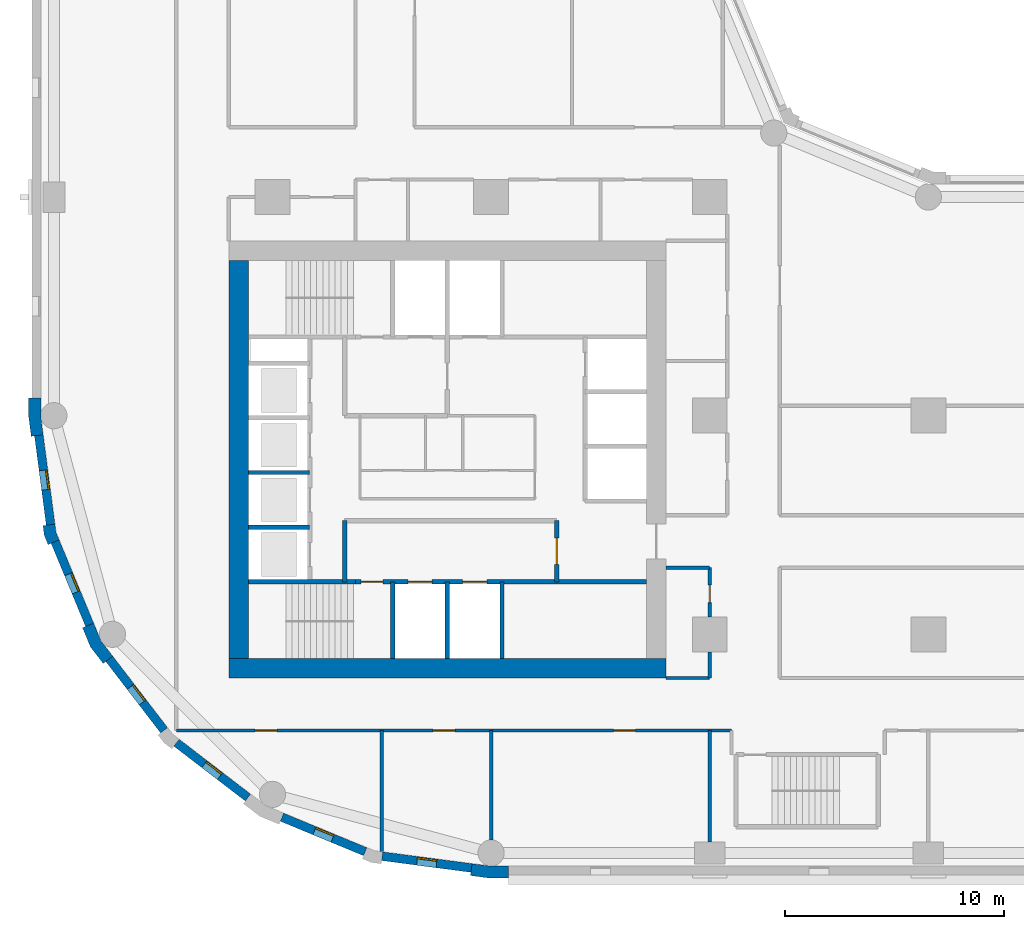
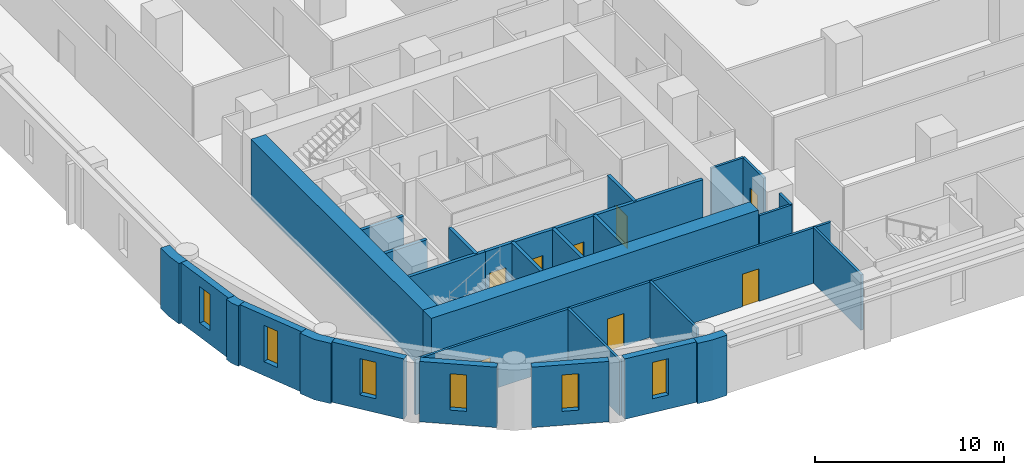
# One storey, part 2 of 10: 29 walls, 8 doors, 6 windows, 14 openings.
"""IFC4 building model written with IfcOpenShell, lengths in metres."""

from ifc_helpers import new_model, si_unit, direction, frame, frame_2d, origin, place, context, subcontext, project, spatial, polyline, rectangle, outline, extrude, material, layer, layer_set, type_object, element, fill, save


model = new_model("IFC4")

# Units and contexts
model_context = context("Model", 3, precision=1e-05, world=origin(), true_north=direction((0.0, 1.0)))
body_context = subcontext(model_context, "Body", "Model", "MODEL_VIEW")
ifc_project = project(units=[si_unit("LENGTHUNIT", "METRE"), si_unit("AREAUNIT", "SQUARE_METRE"), si_unit("VOLUMEUNIT", "CUBIC_METRE"), si_unit("PLANEANGLEUNIT", "RADIAN"), si_unit("MASSUNIT", "GRAM", prefix="KILO")], contexts=[model_context])

# Site, building, storey
site_placement = place(None, origin())
site = spatial("IfcSite", under=ifc_project, at=site_placement, CompositionType="ELEMENT")
building_placement = place(site_placement, origin())
building = spatial("IfcBuilding", under=site, at=building_placement, Name="Qaws Garden Tower", CompositionType="ELEMENT")
storey_placement = place(building_placement, frame((0.0, 0.0, 105.60009765625)))
storey = spatial("IfcBuildingStorey", under=building, at=storey_placement, Name="L26", CompositionType="ELEMENT", Elevation=105.60009765625)

# Wall, opening, window
ifc_material_1 = material(Name="Clay facing brick masonry", Category="masonry")
ifc_layer_1 = layer(ifc_material_1, 0.39990234375)
ifc_layer_set_1 = layer_set([ifc_layer_1], Name="Clay facing brick masonry")
wall_type_1 = type_object("IfcWallType", Name="Brick infill wall 400", PredefinedType="SOLIDWALL", material=ifc_layer_set_1)
wall_1_placement = place(storey_placement, frame((-0.688720703125, 19.102294921875, 0.0), z_axis=(0.0, 0.0, 1.0), x_axis=(0.130514280502, -0.991446429508, 0.0)))
wall_1 = element("IfcWall", 1, at=wall_1_placement, inside=storey, type_object=wall_type_1, Name="E-L26-infill-27", PredefinedType="SOLIDWALL", context=body_context, shape_type="SweptSolid", body=[
    extrude(rectangle(XDim=4.120849609375, YDim=0.39990234375, at=frame_2d((2.060546875, 0.0))), origin(), (0.0, 0.0, 1.0), 3.89990234375),
])
opening_1_placement = place(wall_1_placement, frame((1.610595703125, 0.0, 0.89990234375)))
opening_1 = element("IfcOpeningElement", 2, at=opening_1_placement, cuts=wall_1, Name="Opening W09", PredefinedType="OPENING", context=body_context, shape_type="SweptSolid", body=[
    extrude(rectangle(XDim=0.89990234375, YDim=2.35009765625, at=frame_2d((0.449951171875, 1.175048828125))), frame((0.0, 0.2099609375, 0.0), z_axis=(0.0, -1.0, 0.0), x_axis=(1.0, 0.0, 0.0)), (0.0, 0.0, 1.0), 0.419921875),
])
ifc_material_2 = material(Name="Aluminium framed window, clear glazing", Category="aluminium")
window_type = type_object("IfcWindowType", Name="Slit window 900 x 2350", PartitioningType="SINGLE_PANEL", PredefinedType="WINDOW", material=ifc_material_2)
window_1_placement = place(opening_1_placement, origin())
window_1 = element("IfcWindow", 3, at=window_1_placement, inside=storey, type_object=window_type, Name="E-L26-window-27-0", OverallHeight=2.35009765625, OverallWidth=0.89990234375, PartitioningType="SINGLE_PANEL", PredefinedType="WINDOW", context=body_context, shape_type="SweptSolid", body=[
    extrude(rectangle(XDim=0.89990234375, YDim=2.35009765625, at=frame_2d((0.449951171875, 1.175048828125))), frame((0.0, 0.159912109375, 0.0), z_axis=(0.0, -1.0, 0.0), x_axis=(1.0, 0.0, 0.0)), (0.0, 0.0, 1.0), 0.06005859375),
])
fill(opening_1, window_1)

wall_2_placement = place(storey_placement, frame((0.05712890625, 14.240234375, 0.0), z_axis=(0.0, 0.0, 1.0), x_axis=(0.382721546029, -0.923863744394, 0.0)))
wall_2 = element("IfcWall", 4, at=wall_2_placement, inside=storey, type_object=wall_type_1, Name="E-L26-infill-28", PredefinedType="SOLIDWALL", context=body_context, shape_type="SweptSolid", body=[
    extrude(rectangle(XDim=4.120849609375, YDim=0.39990234375, at=frame_2d((2.060546875, 0.0))), origin(), (0.0, 0.0, 1.0), 3.89990234375),
])
opening_2_placement = place(wall_2_placement, frame((1.610595703125, 0.0, 0.89990234375)))
opening_2 = element("IfcOpeningElement", 5, at=opening_2_placement, cuts=wall_2, Name="Opening W09", PredefinedType="OPENING", context=body_context, shape_type="SweptSolid", body=[
    extrude(rectangle(XDim=0.89990234375, YDim=2.35009765625, at=frame_2d((0.449951171875, 1.175048828125))), frame((0.0, 0.2099609375, 0.0), z_axis=(0.0, -1.0, 0.0), x_axis=(1.0, 0.0, 0.0)), (0.0, 0.0, 1.0), 0.419921875),
])
window_2_placement = place(opening_2_placement, origin())
window_2 = element("IfcWindow", 6, at=window_2_placement, inside=storey, type_object=window_type, Name="E-L26-window-28-0", OverallHeight=2.35009765625, OverallWidth=0.89990234375, PartitioningType="SINGLE_PANEL", PredefinedType="WINDOW", context=body_context, shape_type="SweptSolid", body=[
    extrude(rectangle(XDim=0.89990234375, YDim=2.35009765625, at=frame_2d((0.449951171875, 1.175048828125))), frame((0.0, 0.159912109375, 0.0), z_axis=(0.0, -1.0, 0.0), x_axis=(1.0, 0.0, 0.0)), (0.0, 0.0, 1.0), 0.06005859375),
])
fill(opening_2, window_2)

wall_3_placement = place(storey_placement, frame((2.53173828125, 8.87841796875, 0.0), z_axis=(0.0, 0.0, 1.0), x_axis=(0.608759824817, -0.793354571229, 0.0)))
wall_3 = element("IfcWall", 7, at=wall_3_placement, inside=storey, type_object=wall_type_1, Name="E-L26-infill-29", PredefinedType="SOLIDWALL", context=body_context, shape_type="SweptSolid", body=[
    extrude(rectangle(XDim=4.12109375, YDim=0.39990234375, at=frame_2d((2.060546875, 0.0))), origin(), (0.0, 0.0, 1.0), 3.89990234375),
])
opening_3_placement = place(wall_3_placement, frame((1.610595703125, 0.0, 0.89990234375)))
opening_3 = element("IfcOpeningElement", 8, at=opening_3_placement, cuts=wall_3, Name="Opening W09", PredefinedType="OPENING", context=body_context, shape_type="SweptSolid", body=[
    extrude(rectangle(XDim=0.89990234375, YDim=2.35009765625, at=frame_2d((0.449951171875, 1.175048828125))), frame((0.0, 0.2099609375, 0.0), z_axis=(0.0, -1.0, 0.0), x_axis=(1.0, 0.0, 0.0)), (0.0, 0.0, 1.0), 0.419921875),
])
window_3_placement = place(opening_3_placement, origin())
window_3 = element("IfcWindow", 9, at=window_3_placement, inside=storey, type_object=window_type, Name="E-L26-window-29-0", OverallHeight=2.35009765625, OverallWidth=0.89990234375, PartitioningType="SINGLE_PANEL", PredefinedType="WINDOW", context=body_context, shape_type="SweptSolid", body=[
    extrude(rectangle(XDim=0.89990234375, YDim=2.35009765625, at=frame_2d((0.449951171875, 1.175048828125))), frame((0.0, 0.159912109375, 0.0), z_axis=(0.0, -1.0, 0.0), x_axis=(1.0, 0.0, 0.0)), (0.0, 0.0, 1.0), 0.06005859375),
])
fill(opening_3, window_3)

wall_4_placement = place(storey_placement, frame((5.60888671875, 5.04052734375, 0.0), z_axis=(0.0, 0.0, 1.0), x_axis=(0.793354571229, -0.608759824817, 0.0)))
wall_4 = element("IfcWall", 10, at=wall_4_placement, inside=storey, type_object=wall_type_1, Name="E-L26-infill-30", PredefinedType="SOLIDWALL", context=body_context, shape_type="SweptSolid", body=[
    extrude(rectangle(XDim=4.12109375, YDim=0.39990234375, at=frame_2d((2.060546875, 0.0))), origin(), (0.0, 0.0, 1.0), 3.89990234375),
])
opening_4_placement = place(wall_4_placement, frame((1.610595703125, 0.0, 0.89990234375)))
opening_4 = element("IfcOpeningElement", 11, at=opening_4_placement, cuts=wall_4, Name="Opening W09", PredefinedType="OPENING", context=body_context, shape_type="SweptSolid", body=[
    extrude(rectangle(XDim=0.89990234375, YDim=2.35009765625, at=frame_2d((0.449951171875, 1.175048828125))), frame((0.0, 0.2099609375, 0.0), z_axis=(0.0, -1.0, 0.0), x_axis=(1.0, 0.0, 0.0)), (0.0, 0.0, 1.0), 0.419921875),
])
window_4_placement = place(opening_4_placement, origin())
window_4 = element("IfcWindow", 12, at=window_4_placement, inside=storey, type_object=window_type, Name="E-L26-window-30-0", OverallHeight=2.35009765625, OverallWidth=0.89990234375, PartitioningType="SINGLE_PANEL", PredefinedType="WINDOW", context=body_context, shape_type="SweptSolid", body=[
    extrude(rectangle(XDim=0.89990234375, YDim=2.35009765625, at=frame_2d((0.449951171875, 1.175048828125))), frame((0.0, 0.159912109375, 0.0), z_axis=(0.0, -1.0, 0.0), x_axis=(1.0, 0.0, 0.0)), (0.0, 0.0, 1.0), 0.06005859375),
])
fill(opening_4, window_4)

wall_5_placement = place(storey_placement, frame((10.43310546875, 1.63427734375, 0.0), z_axis=(0.0, 0.0, 1.0), x_axis=(0.923863744394, -0.382721546029, 0.0)))
wall_5 = element("IfcWall", 13, at=wall_5_placement, inside=storey, type_object=wall_type_1, Name="E-L26-infill-31", PredefinedType="SOLIDWALL", context=body_context, shape_type="SweptSolid", body=[
    extrude(rectangle(XDim=4.120849609375, YDim=0.39990234375, at=frame_2d((2.060546875, 0.0))), origin(), (0.0, 0.0, 1.0), 3.89990234375),
])
opening_5_placement = place(wall_5_placement, frame((1.610595703125, 0.0, 0.89990234375)))
opening_5 = element("IfcOpeningElement", 14, at=opening_5_placement, cuts=wall_5, Name="Opening W09", PredefinedType="OPENING", context=body_context, shape_type="SweptSolid", body=[
    extrude(rectangle(XDim=0.89990234375, YDim=2.35009765625, at=frame_2d((0.449951171875, 1.175048828125))), frame((0.0, 0.2099609375, 0.0), z_axis=(0.0, -1.0, 0.0), x_axis=(1.0, 0.0, 0.0)), (0.0, 0.0, 1.0), 0.419921875),
])
window_5_placement = place(opening_5_placement, origin())
window_5 = element("IfcWindow", 15, at=window_5_placement, inside=storey, type_object=window_type, Name="E-L26-window-31-0", OverallHeight=2.35009765625, OverallWidth=0.89990234375, PartitioningType="SINGLE_PANEL", PredefinedType="WINDOW", context=body_context, shape_type="SweptSolid", body=[
    extrude(rectangle(XDim=0.89990234375, YDim=2.35009765625, at=frame_2d((0.449951171875, 1.175048828125))), frame((0.0, 0.159912109375, 0.0), z_axis=(0.0, -1.0, 0.0), x_axis=(1.0, 0.0, 0.0)), (0.0, 0.0, 1.0), 0.06005859375),
])
fill(opening_5, window_5)

wall_6_placement = place(storey_placement, frame((15.0166015625, -0.15087890625, 0.0), z_axis=(0.0, 0.0, 1.0), x_axis=(0.991446429508, -0.130514280502, 0.0)))
wall_6 = element("IfcWall", 16, at=wall_6_placement, inside=storey, type_object=wall_type_1, Name="E-L26-infill-32", PredefinedType="SOLIDWALL", context=body_context, shape_type="SweptSolid", body=[
    extrude(rectangle(XDim=4.120849609375, YDim=0.39990234375, at=frame_2d((2.060546875, 0.0))), origin(), (0.0, 0.0, 1.0), 3.89990234375),
])
opening_6_placement = place(wall_6_placement, frame((1.610595703125, 0.0, 0.89990234375)))
opening_6 = element("IfcOpeningElement", 17, at=opening_6_placement, cuts=wall_6, Name="Opening W09", PredefinedType="OPENING", context=body_context, shape_type="SweptSolid", body=[
    extrude(rectangle(XDim=0.89990234375, YDim=2.35009765625, at=frame_2d((0.449951171875, 1.175048828125))), frame((0.0, 0.2099609375, 0.0), z_axis=(0.0, -1.0, 0.0), x_axis=(1.0, 0.0, 0.0)), (0.0, 0.0, 1.0), 0.419921875),
])
window_6_placement = place(opening_6_placement, origin())
window_6 = element("IfcWindow", 18, at=window_6_placement, inside=storey, type_object=window_type, Name="E-L26-window-32-0", OverallHeight=2.35009765625, OverallWidth=0.89990234375, PartitioningType="SINGLE_PANEL", PredefinedType="WINDOW", context=body_context, shape_type="SweptSolid", body=[
    extrude(rectangle(XDim=0.89990234375, YDim=2.35009765625, at=frame_2d((0.449951171875, 1.175048828125))), frame((0.0, 0.159912109375, 0.0), z_axis=(0.0, -1.0, 0.0), x_axis=(1.0, 0.0, 0.0)), (0.0, 0.0, 1.0), 0.06005859375),
])
fill(opening_6, window_6)

# Walls
ifc_material_3 = material(Name="Clay facing brick masonry", Category="masonry")
ifc_layer_2 = layer(ifc_material_3, 0.550048828125)
ifc_layer_set_2 = layer_set([ifc_layer_2], Name="Clay facing brick masonry")
wall_type_2 = type_object("IfcWallType", Name="Brick kink pier 550 x 600", PredefinedType="SOLIDWALL", material=ifc_layer_set_2)
placement = place(storey_placement, origin())
element("IfcWall", 19, at=placement, inside=storey, type_object=wall_type_2, Name="E-L26-pier-28", PredefinedType="SOLIDWALL", context=body_context, shape_type="SweptSolid", body=[
    extrude(outline(polyline([(-0.34912109375, 14.990478515625), (-0.497802734375, 14.970947265625), (-0.43896484375, 14.5234375), (-0.26611328125, 14.1064453125), (-0.127685546875, 14.163818359375), (0.241943359375, 14.31689453125), (0.096923828125, 14.6669921875), (0.04736328125, 15.042724609375), (-0.34912109375, 14.990478515625)])), origin(), (0.0, 0.0, 1.0), 3.89990234375),
])
ifc_material_4 = material(Name="Clay facing brick masonry", Category="masonry")
ifc_layer_3 = layer(ifc_material_4, 0.550048828125)
ifc_layer_set_3 = layer_set([ifc_layer_3], Name="Clay facing brick masonry")
wall_type_3 = type_object("IfcWallType", Name="Brick pier 550 x 1600", PredefinedType="SOLIDWALL", material=ifc_layer_set_3)
element("IfcWall", 20, at=placement, inside=storey, type_object=wall_type_3, Name="E-L26-pier-00", PredefinedType="SOLIDWALL", context=body_context, shape_type="SweptSolid", body=[
    extrude(outline(polyline([(19.076416015625, -0.886962890625), (19.056640625, -1.03564453125), (19.924560546875, -1.14990234375), (20.800048828125, -1.14990234375), (20.800048828125, -1.0), (20.800048828125, -0.60009765625), (19.960693359375, -0.60009765625), (19.12841796875, -0.490478515625), (19.076416015625, -0.886962890625)])), origin(), (0.0, 0.0, 1.0), 3.89990234375),
])
element("IfcWall", 21, at=placement, inside=storey, type_object=wall_type_3, Name="E-L26-pier-27", PredefinedType="SOLIDWALL", context=body_context, shape_type="SweptSolid", body=[
    extrude(outline(polyline([(-1.0, 20.800048828125), (-1.14990234375, 20.800048828125), (-1.14990234375, 19.924560546875), (-1.03564453125, 19.056640625), (-0.886962890625, 19.076416015625), (-0.490478515625, 19.12841796875), (-0.60009765625, 19.960693359375), (-0.60009765625, 20.800048828125), (-1.0, 20.800048828125)])), origin(), (0.0, 0.0, 1.0), 3.89990234375),
])
element("IfcWall", 22, at=placement, inside=storey, type_object=wall_type_3, Name="E-L26-pier-29", PredefinedType="SOLIDWALL", context=body_context, shape_type="SweptSolid", body=[
    extrude(outline(polyline([(1.449462890625, 10.3564453125), (1.310791015625, 10.299072265625), (1.675048828125, 9.419921875), (2.254150390625, 8.665283203125), (2.373046875, 8.756591796875), (2.6904296875, 9.0), (2.1552734375, 9.697509765625), (1.819091796875, 10.509521484375), (1.449462890625, 10.3564453125)])), origin(), (0.0, 0.0, 1.0), 3.89990234375),
])
ifc_material_5 = material(Name="Concrete C80", Category="concrete")
ifc_layer_4 = layer(ifc_material_5, 0.199951171875)
ifc_layer_set_4 = layer_set([ifc_layer_4], Name="Concrete C80")
wall_type_4 = type_object("IfcWallType", Name="Core shaft wall 200 C80", PredefinedType="SHEAR", material=ifc_layer_set_4)
wall_11_placement = place(storey_placement, frame((8.89990234375, 12.39990234375, 0.0), z_axis=(0.0, 0.0, 1.0), x_axis=(1.0, 0.0, 0.0)))
element("IfcWall", 23, at=wall_11_placement, inside=storey, type_object=wall_type_4, Name="Shaft wall", PredefinedType="SHEAR", context=body_context, shape_type="SweptSolid", body=[
    extrude(rectangle(XDim=4.900146484375, YDim=0.199951171875, at=frame_2d((2.4501953125, 0.0))), origin(), (0.0, 0.0, 1.0), 3.579833984375),
])

# Wall, openings, doors
wall_12_placement = place(storey_placement, frame((13.800048828125, 12.39990234375, 0.0), z_axis=(0.0, 0.0, 1.0), x_axis=(1.0, 0.0, 0.0)))
wall_12 = element("IfcWall", 24, at=wall_12_placement, inside=storey, type_object=wall_type_4, Name="Shaft wall", PredefinedType="SHEAR", context=body_context, shape_type="SweptSolid", body=[
    extrude(rectangle(XDim=13.300048828125, YDim=0.199951171875, at=frame_2d((6.64990234375, 0.0))), origin(), (0.0, 0.0, 1.0), 3.579833984375),
])
opening_7_placement = place(wall_12_placement, frame((2.39990234375, 0.0, 0.0)))
opening_7 = element("IfcOpeningElement", 25, at=opening_7_placement, cuts=wall_12, Name="Opening LD06", PredefinedType="OPENING", context=body_context, shape_type="SweptSolid", body=[
    extrude(rectangle(XDim=1.10009765625, YDim=2.10009765625, at=frame_2d((0.550048828125, 1.050048828125))), frame((0.0, 0.10986328125, 0.0), z_axis=(0.0, -1.0, 0.0), x_axis=(1.0, 0.0, 0.0)), (0.0, 0.0, 1.0), 0.219970703125),
])
opening_8_placement = place(wall_12_placement, frame((4.89990234375, 0.0, 0.0)))
opening_8 = element("IfcOpeningElement", 26, at=opening_8_placement, cuts=wall_12, Name="Opening LD07", PredefinedType="OPENING", context=body_context, shape_type="SweptSolid", body=[
    extrude(rectangle(XDim=1.10009765625, YDim=2.10009765625, at=frame_2d((0.550048828125, 1.050048828125))), frame((0.0, 0.10986328125, 0.0), z_axis=(0.0, -1.0, 0.0), x_axis=(1.0, 0.0, 0.0)), (0.0, 0.0, 1.0), 0.219970703125),
])
opening_9_placement = place(wall_12_placement, frame((0.25, 0.0, 0.0)))
opening_9 = element("IfcOpeningElement", 27, at=opening_9_placement, cuts=wall_12, Name="Opening SD10", PredefinedType="OPENING", context=body_context, shape_type="SweptSolid", body=[
    extrude(rectangle(XDim=1.0, YDim=2.10009765625, at=frame_2d((0.5, 1.050048828125))), frame((0.0, 0.10986328125, 0.0), z_axis=(0.0, -1.0, 0.0), x_axis=(1.0, 0.0, 0.0)), (0.0, 0.0, 1.0), 0.219970703125),
])
ifc_material_6 = material(Name="Steel S235", Category="steel")
door_type_1 = type_object("IfcDoorType", Name="Landing door 1100x2100", OperationType="DOUBLE_DOOR_SLIDING", PredefinedType="DOOR", material=ifc_material_6)
door_1_placement = place(opening_7_placement, origin())
door_1 = element("IfcDoor", 28, at=door_1_placement, inside=storey, type_object=door_type_1, Name="Lift FF1 landing door", OperationType="DOUBLE_DOOR_SLIDING", OverallHeight=2.10009765625, OverallWidth=1.10009765625, PredefinedType="DOOR", context=body_context, shape_type="SweptSolid", body=[
    extrude(rectangle(XDim=1.10009765625, YDim=2.10009765625, at=frame_2d((0.550048828125, 1.050048828125))), frame((0.0, 0.02490234375, 0.0), z_axis=(0.0, -1.0, 0.0), x_axis=(1.0, 0.0, 0.0)), (0.0, 0.0, 1.0), 0.050048828125),
])
fill(opening_7, door_1)
door_2_placement = place(opening_8_placement, origin())
door_2 = element("IfcDoor", 29, at=door_2_placement, inside=storey, type_object=door_type_1, Name="Lift FF2 landing door", OperationType="DOUBLE_DOOR_SLIDING", OverallHeight=2.10009765625, OverallWidth=1.10009765625, PredefinedType="DOOR", context=body_context, shape_type="SweptSolid", body=[
    extrude(rectangle(XDim=1.10009765625, YDim=2.10009765625, at=frame_2d((0.550048828125, 1.050048828125))), frame((0.0, 0.02490234375, 0.0), z_axis=(0.0, -1.0, 0.0), x_axis=(1.0, 0.0, 0.0)), (0.0, 0.0, 1.0), 0.050048828125),
])
fill(opening_8, door_2)
ifc_material_7 = material(Name="Steel S235", Category="steel")
door_type_2 = type_object("IfcDoorType", Name="Stair door 1000x2100", OperationType="SINGLE_SWING_RIGHT", PredefinedType="DOOR", material=ifc_material_7)
door_3_placement = place(opening_9_placement, frame((1.0, 0.0, 0.0), z_axis=(0.0, 0.0, 1.0), x_axis=(-1.0, 0.0, 0.0)))
door_3 = element("IfcDoor", 30, at=door_3_placement, inside=storey, type_object=door_type_2, Name="Stair 1 door", OperationType="SINGLE_SWING_LEFT", OverallHeight=2.10009765625, OverallWidth=1.0, PredefinedType="DOOR", context=body_context, shape_type="SweptSolid", body=[
    extrude(rectangle(XDim=1.0, YDim=2.10009765625, at=frame_2d((0.5, 1.050048828125))), frame((0.0, 0.02490234375, 0.0), z_axis=(0.0, -1.0, 0.0), x_axis=(1.0, 0.0, 0.0)), (0.0, 0.0, 1.0), 0.050048828125),
])
fill(opening_9, door_3)

# Walls
for number, where, z_axis, x_axis, name in (
    (31, (8.89990234375, 14.89990234375, 0.0), (0.0, 0.0, 1.0), (1.0, 0.0, 0.0), "Shaft wall"),
    (32, (8.89990234375, 17.39990234375, 0.0), (0.0, 0.0, 1.0), (1.0, 0.0, 0.0), "Shaft wall"),
    (33, (13.300048828125, 12.39990234375, 0.0), (0.0, 0.0, 1.0), (0.0, 1.0, 0.0), "Shaft wall"),
):
    element("IfcWall", number, at=place(storey_placement, frame(where, z_axis=z_axis, x_axis=x_axis)), inside=storey, type_object=wall_type_4, Name=name, PredefinedType="SHEAR", context=body_context, shape_type="SweptSolid", body=[
        extrude(rectangle(XDim=2.800048828125, YDim=0.199951171875, at=frame_2d((1.39990234375, 0.0))), origin(), (0.0, 0.0, 1.0), 3.579833984375),
    ])
for number, where, z_axis, x_axis, name in (
    (34, (15.5, 8.89990234375, 0.0), (0.0, 0.0, 1.0), (0.0, 1.0, 0.0), "Shaft wall"),
    (35, (18.0, 8.89990234375, 0.0), (0.0, 0.0, 1.0), (0.0, 1.0, 0.0), "Shaft wall"),
    (36, (20.5, 8.89990234375, 0.0), (0.0, 0.0, 1.0), (0.0, 1.0, 0.0), "Shaft wall"),
):
    element("IfcWall", number, at=place(storey_placement, frame(where, z_axis=z_axis, x_axis=x_axis)), inside=storey, type_object=wall_type_4, Name=name, PredefinedType="SHEAR", context=body_context, shape_type="SweptSolid", body=[
        extrude(rectangle(XDim=3.5, YDim=0.199951171875, at=frame_2d((1.75, 0.0))), origin(), (0.0, 0.0, 1.0), 3.579833984375),
    ])

# Wall, opening, door
wall_13_placement = place(storey_placement, frame((23.0, 12.39990234375, 0.0), z_axis=(0.0, 0.0, 1.0), x_axis=(0.0, 1.0, 0.0)))
wall_13 = element("IfcWall", 37, at=wall_13_placement, inside=storey, type_object=wall_type_4, Name="Shaft wall", PredefinedType="SHEAR", context=body_context, shape_type="SweptSolid", body=[
    extrude(rectangle(XDim=2.800048828125, YDim=0.199951171875, at=frame_2d((1.39990234375, 0.0))), origin(), (0.0, 0.0, 1.0), 3.579833984375),
])
opening_10_placement = place(wall_13_placement, frame((0.800048828125, 0.0, 0.0)))
opening_10 = element("IfcOpeningElement", 38, at=opening_10_placement, cuts=wall_13, Name="Opening FD15", PredefinedType="OPENING", context=body_context, shape_type="SweptSolid", body=[
    extrude(rectangle(XDim=1.199951171875, YDim=2.10009765625, at=frame_2d((0.60009765625, 1.050048828125))), frame((0.0, 0.10986328125, 0.0), z_axis=(0.0, -1.0, 0.0), x_axis=(1.0, 0.0, 0.0)), (0.0, 0.0, 1.0), 0.219970703125),
])
ifc_material_8 = material(Name="Steel S235", Category="steel")
door_type_3 = type_object("IfcDoorType", Name="Lobby door 1200x2100", OperationType="DOUBLE_DOOR_SINGLE_SWING", PredefinedType="DOOR", material=ifc_material_8)
door_4_placement = place(opening_10_placement, origin())
door_4 = element("IfcDoor", 39, at=door_4_placement, inside=storey, type_object=door_type_3, Name="Fire-fighting lobby door", OperationType="DOUBLE_DOOR_SINGLE_SWING", OverallHeight=2.10009765625, OverallWidth=1.199951171875, PredefinedType="DOOR", context=body_context, shape_type="SweptSolid", body=[
    extrude(rectangle(XDim=1.199951171875, YDim=2.10009765625, at=frame_2d((0.60009765625, 1.050048828125))), frame((0.0, 0.02490234375, 0.0), z_axis=(0.0, -1.0, 0.0), x_axis=(1.0, 0.0, 0.0)), (0.0, 0.0, 1.0), 0.050048828125),
])
fill(opening_10, door_4)

# Walls
ifc_material_9 = material(Name="Concrete C80", Category="concrete")
ifc_layer_5 = layer(ifc_material_9, 0.89990234375)
ifc_layer_set_5 = layer_set([ifc_layer_5], Name="Concrete C80")
wall_type_5 = type_object("IfcWallType", Name="Core wall 900 C80", PredefinedType="SHEAR", material=ifc_layer_set_5)
wall_14_placement = place(storey_placement, frame((8.0, 8.449951171875, 0.0), z_axis=(0.0, 0.0, 1.0), x_axis=(1.0, 0.0, 0.0)))
element("IfcWall", 40, at=wall_14_placement, inside=storey, type_object=wall_type_5, Name="Core wall L26 south", PredefinedType="SHEAR", context=body_context, shape_type="SweptSolid", body=[
    extrude(rectangle(XDim=20.0, YDim=0.89990234375, at=frame_2d((10.0, 0.0))), origin(), (0.0, 0.0, 1.0), 3.89990234375),
])
wall_15_placement = place(storey_placement, frame((8.449951171875, 27.10009765625, 0.0), z_axis=(0.0, 0.0, 1.0), x_axis=(0.0, -1.0, 0.0)))
element("IfcWall", 41, at=wall_15_placement, inside=storey, type_object=wall_type_5, Name="Core wall L26 west", PredefinedType="SHEAR", context=body_context, shape_type="SweptSolid", body=[
    extrude(rectangle(XDim=18.2001953125, YDim=0.89990234375, at=frame_2d((9.10009765625, 0.0))), origin(), (0.0, 0.0, 1.0), 3.89990234375),
])
ifc_material_10 = material(Name="Gypsum board partition")
ifc_layer_6 = layer(ifc_material_10, 0.14990234375)
ifc_layer_set_6 = layer_set([ifc_layer_6], Name="Gypsum board partition")
wall_type_6 = type_object("IfcWallType", Name="PARTITION 150 EI 60", PredefinedType="PARTITIONING", material=ifc_layer_set_6)
wall_16_placement = place(storey_placement, frame((15.0, 0.06298828125, 0.0), z_axis=(0.0, 0.0, 1.0), x_axis=(0.0, 1.0, 0.0)))
element("IfcWall", 42, at=wall_16_placement, inside=storey, type_object=wall_type_6, Name="O-L26-wall-011", PredefinedType="PARTITIONING", context=body_context, shape_type="SweptSolid", body=[
    extrude(rectangle(XDim=5.537109375, YDim=0.14990234375, at=frame_2d((2.7685546875, 0.0))), origin(), (0.0, 0.0, 1.0), 3.579833984375),
])
wall_17_placement = place(storey_placement, frame((20.0, 0.60009765625, 0.0), z_axis=(0.0, 0.0, 1.0), x_axis=(0.0, 1.0, 0.0)))
element("IfcWall", 43, at=wall_17_placement, inside=storey, type_object=wall_type_6, Name="O-L26-wall-015", PredefinedType="PARTITIONING", context=body_context, shape_type="SweptSolid", body=[
    extrude(rectangle(XDim=5.0, YDim=0.14990234375, at=frame_2d((2.5, 0.0))), origin(), (0.0, 0.0, 1.0), 3.579833984375),
])
wall_18_placement = place(storey_placement, frame((30.0, 0.5, 0.0), z_axis=(0.0, 0.0, 1.0), x_axis=(0.0, 1.0, 0.0)))
element("IfcWall", 44, at=wall_18_placement, inside=storey, type_object=wall_type_6, Name="O-L26-wall-019", PredefinedType="PARTITIONING", context=body_context, shape_type="SweptSolid", body=[
    extrude(rectangle(XDim=5.10009765625, YDim=0.14990234375, at=frame_2d((2.550048828125, 0.0))), origin(), (0.0, 0.0, 1.0), 3.579833984375),
])
wall_19_placement = place(storey_placement, frame((30.0, 8.0, 0.0), z_axis=(0.0, 0.0, 1.0), x_axis=(0.0, 1.0, 0.0)))
element("IfcWall", 45, at=wall_19_placement, inside=storey, type_object=wall_type_6, Name="O-L26-wall-020", PredefinedType="PARTITIONING", context=body_context, shape_type="SweptSolid", body=[
    extrude(rectangle(XDim=1.199951171875, YDim=0.14990234375, at=frame_2d((0.60009765625, 0.0))), origin(), (0.0, 0.0, 1.0), 3.579833984375),
])

# Wall, opening, door
wall_20_placement = place(storey_placement, frame((30.0, 10.800048828125, 0.0), z_axis=(0.0, 0.0, 1.0), x_axis=(0.0, 1.0, 0.0)))
wall_20 = element("IfcWall", 46, at=wall_20_placement, inside=storey, type_object=wall_type_6, Name="O-L26-wall-021", PredefinedType="PARTITIONING", context=body_context, shape_type="SweptSolid", body=[
    extrude(rectangle(XDim=2.25, YDim=0.14990234375, at=frame_2d((1.125, 0.0))), origin(), (0.0, 0.0, 1.0), 3.579833984375),
])
opening_11_placement = place(wall_20_placement, frame((0.64990234375, 0.0, 0.0)))
opening_11 = element("IfcOpeningElement", 47, at=opening_11_placement, cuts=wall_20, Name="Opening A904", PredefinedType="OPENING", context=body_context, shape_type="SweptSolid", body=[
    extrude(rectangle(XDim=0.800048828125, YDim=2.10009765625, at=frame_2d((0.39990234375, 1.050048828125))), frame((0.0, 0.0849609375, 0.0), z_axis=(0.0, -1.0, 0.0), x_axis=(1.0, 0.0, 0.0)), (0.0, 0.0, 1.0), 0.169921875),
])
ifc_material_11 = material(Name="Timber door leaf", Category="wood")
door_type_4 = type_object("IfcDoorType", Name="STORE DOOR 800 X 2100", OperationType="SINGLE_SWING_LEFT", PredefinedType="DOOR", material=ifc_material_11)
door_5_placement = place(opening_11_placement, origin())
door_5 = element("IfcDoor", 48, at=door_5_placement, inside=storey, type_object=door_type_4, Name="O-L26-door-004", OperationType="SINGLE_SWING_LEFT", OverallHeight=2.10009765625, OverallWidth=0.800048828125, PredefinedType="DOOR", context=body_context, shape_type="SweptSolid", body=[
    extrude(rectangle(XDim=0.800048828125, YDim=2.10009765625, at=frame_2d((0.39990234375, 1.050048828125))), frame((0.0, 0.02490234375, 0.0), z_axis=(0.0, -1.0, 0.0), x_axis=(1.0, 0.0, 0.0)), (0.0, 0.0, 1.0), 0.050048828125),
])
fill(opening_11, door_5)

# Wall, openings, doors
wall_21_placement = place(storey_placement, frame((5.60009765625, 5.60009765625, 0.0), z_axis=(0.0, 0.0, 1.0), x_axis=(1.0, 0.0, 0.0)))
wall_21 = element("IfcWall", 49, at=wall_21_placement, inside=storey, type_object=wall_type_6, Name="O-L26-wall-036", PredefinedType="PARTITIONING", context=body_context, shape_type="SweptSolid", body=[
    extrude(rectangle(XDim=25.39990234375, YDim=0.14990234375, at=frame_2d((12.699951171875, 0.0))), origin(), (0.0, 0.0, 1.0), 3.579833984375),
])
opening_12_placement = place(wall_21_placement, frame((3.60009765625, 0.0, 0.0)))
opening_12 = element("IfcOpeningElement", 50, at=opening_12_placement, cuts=wall_21, Name="Opening A902", PredefinedType="OPENING", context=body_context, shape_type="SweptSolid", body=[
    extrude(rectangle(XDim=1.0, YDim=2.10009765625, at=frame_2d((0.5, 1.050048828125))), frame((0.0, 0.0849609375, 0.0), z_axis=(0.0, -1.0, 0.0), x_axis=(1.0, 0.0, 0.0)), (0.0, 0.0, 1.0), 0.169921875),
])
opening_13_placement = place(wall_21_placement, frame((11.75, 0.0, 0.0)))
opening_13 = element("IfcOpeningElement", 51, at=opening_13_placement, cuts=wall_21, Name="Opening A912", PredefinedType="OPENING", context=body_context, shape_type="SweptSolid", body=[
    extrude(rectangle(XDim=1.0, YDim=2.10009765625, at=frame_2d((0.5, 1.050048828125))), frame((0.0, 0.0849609375, 0.0), z_axis=(0.0, -1.0, 0.0), x_axis=(1.0, 0.0, 0.0)), (0.0, 0.0, 1.0), 0.169921875),
])
opening_14_placement = place(wall_21_placement, frame((20.0, 0.0, 0.0)))
opening_14 = element("IfcOpeningElement", 52, at=opening_14_placement, cuts=wall_21, Name="Opening A920", PredefinedType="OPENING", context=body_context, shape_type="SweptSolid", body=[
    extrude(rectangle(XDim=1.0, YDim=2.10009765625, at=frame_2d((0.5, 1.050048828125))), frame((0.0, 0.0849609375, 0.0), z_axis=(0.0, -1.0, 0.0), x_axis=(1.0, 0.0, 0.0)), (0.0, 0.0, 1.0), 0.169921875),
])
ifc_material_12 = material(Name="Timber door leaf", Category="wood")
door_type_5 = type_object("IfcDoorType", Name="TENANCY ENTRANCE DOOR 1000 X 2100", OperationType="SINGLE_SWING_LEFT", PredefinedType="DOOR", material=ifc_material_12)
door_6_placement = place(opening_12_placement, frame((1.0, 0.0, 0.0), z_axis=(0.0, 0.0, 1.0), x_axis=(-1.0, 0.0, 0.0)))
door_6 = element("IfcDoor", 53, at=door_6_placement, inside=storey, type_object=door_type_5, Name="O-L26-door-002", OperationType="SINGLE_SWING_LEFT", OverallHeight=2.10009765625, OverallWidth=1.0, PredefinedType="DOOR", context=body_context, shape_type="SweptSolid", body=[
    extrude(rectangle(XDim=1.0, YDim=2.10009765625, at=frame_2d((0.5, 1.050048828125))), frame((0.0, 0.02490234375, 0.0), z_axis=(0.0, -1.0, 0.0), x_axis=(1.0, 0.0, 0.0)), (0.0, 0.0, 1.0), 0.050048828125),
])
fill(opening_12, door_6)
door_7_placement = place(opening_13_placement, frame((1.0, 0.0, 0.0), z_axis=(0.0, 0.0, 1.0), x_axis=(-1.0, 0.0, 0.0)))
door_7 = element("IfcDoor", 54, at=door_7_placement, inside=storey, type_object=door_type_5, Name="O-L26-door-012", OperationType="SINGLE_SWING_LEFT", OverallHeight=2.10009765625, OverallWidth=1.0, PredefinedType="DOOR", context=body_context, shape_type="SweptSolid", body=[
    extrude(rectangle(XDim=1.0, YDim=2.10009765625, at=frame_2d((0.5, 1.050048828125))), frame((0.0, 0.02490234375, 0.0), z_axis=(0.0, -1.0, 0.0), x_axis=(1.0, 0.0, 0.0)), (0.0, 0.0, 1.0), 0.050048828125),
])
fill(opening_13, door_7)
door_8_placement = place(opening_14_placement, frame((1.0, 0.0, 0.0), z_axis=(0.0, 0.0, 1.0), x_axis=(-1.0, 0.0, 0.0)))
door_8 = element("IfcDoor", 55, at=door_8_placement, inside=storey, type_object=door_type_5, Name="O-L26-door-020", OperationType="SINGLE_SWING_LEFT", OverallHeight=2.10009765625, OverallWidth=1.0, PredefinedType="DOOR", context=body_context, shape_type="SweptSolid", body=[
    extrude(rectangle(XDim=1.0, YDim=2.10009765625, at=frame_2d((0.5, 1.050048828125))), frame((0.0, 0.02490234375, 0.0), z_axis=(0.0, -1.0, 0.0), x_axis=(1.0, 0.0, 0.0)), (0.0, 0.0, 1.0), 0.050048828125),
])
fill(opening_14, door_8)

# Walls
for number, where, z_axis, x_axis, name in (
    (56, (28.0, 8.0, 0.0), (0.0, 0.0, 1.0), (1.0, 0.0, 0.0), "O-L26-wall-038"),
    (57, (28.0, 13.050048828125, 0.0), (0.0, 0.0, 1.0), (1.0, 0.0, 0.0), "O-L26-wall-040"),
):
    element("IfcWall", number, at=place(storey_placement, frame(where, z_axis=z_axis, x_axis=x_axis)), inside=storey, type_object=wall_type_6, Name=name, PredefinedType="PARTITIONING", context=body_context, shape_type="SweptSolid", body=[
        extrude(rectangle(XDim=2.0, YDim=0.14990234375, at=frame_2d((1.0, 0.0))), origin(), (0.0, 0.0, 1.0), 3.579833984375),
    ])

save(model, "model.ifc")
